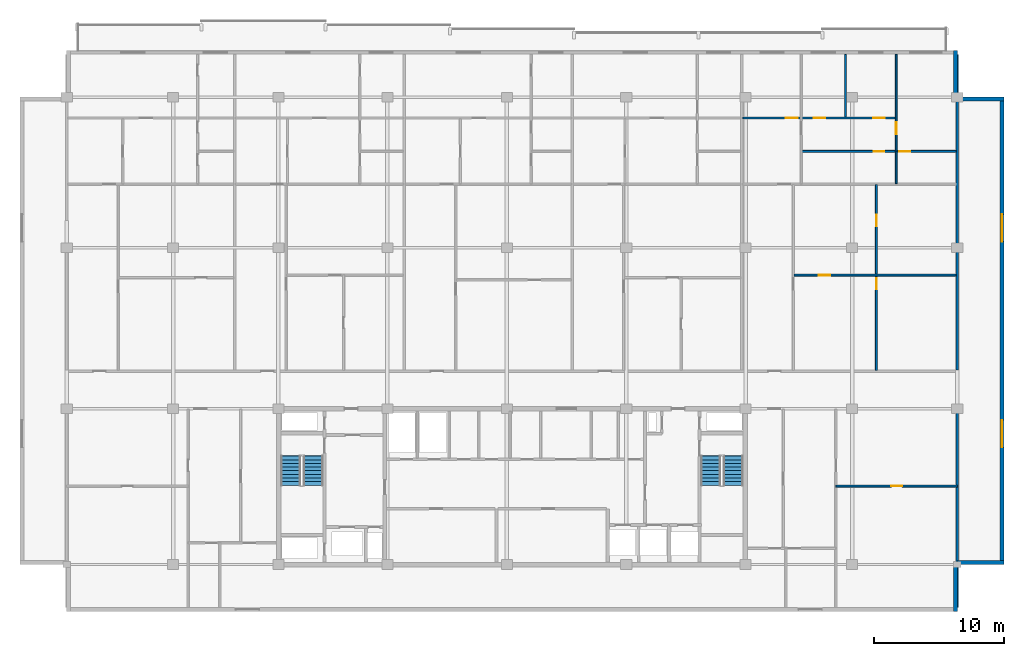
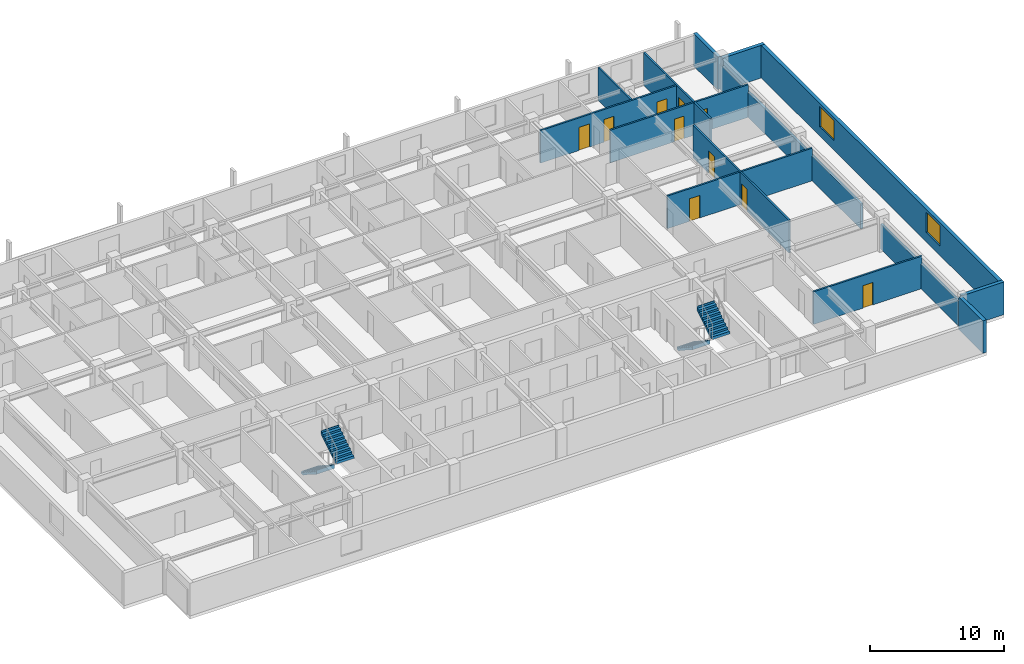
# One storey, part 9 of 11: 15 walls, 10 doors, 4 stair flights, 2 windows, 12 openings, 2 elements without a shape of their own.
"""IFC4 building model written with IfcOpenShell, lengths in metres."""

from ifc_helpers import new_model, si_unit, direction, frame, frame_2d, origin, place, context, subcontext, project, spatial, polyline, rectangle, outline, extrude, material, layer, layer_set, type_object, element, fill, aggregate, save


model = new_model("IFC4")

# Units and contexts
model_context = context("Model", 3, precision=1e-05, world=origin(), true_north=direction((0.0, 1.0)))
body_context = subcontext(model_context, "Body", "Model", "MODEL_VIEW")
ifc_project = project(units=[si_unit("LENGTHUNIT", "METRE"), si_unit("AREAUNIT", "SQUARE_METRE"), si_unit("VOLUMEUNIT", "CUBIC_METRE"), si_unit("PLANEANGLEUNIT", "RADIAN"), si_unit("MASSUNIT", "GRAM", prefix="KILO")], contexts=[model_context])

# Site, building, storey
site_placement = place(None, origin())
site = spatial("IfcSite", under=ifc_project, at=site_placement, CompositionType="ELEMENT")
building_placement = place(site_placement, origin())
building = spatial("IfcBuilding", under=site, at=building_placement, Name="Korimba Cascade Residences", CompositionType="ELEMENT")
storey_placement = place(building_placement, frame((0.0, 0.0, 210.85009765625)))
storey = spatial("IfcBuildingStorey", under=building, at=storey_placement, Name="L61", CompositionType="ELEMENT", Elevation=210.85009765625)

# Walls
ifc_material_1 = material(Name="Precast concrete C40/50", Category="concrete")
ifc_layer_1 = layer(ifc_material_1, 0.300048828125)
ifc_layer_set_1 = layer_set([ifc_layer_1], Name="Precast concrete C40/50")
wall_type_1 = type_object("IfcWallType", Name="EW-STONE-300", PredefinedType="STANDARD", material=ifc_layer_set_1)
wall_1_placement = place(storey_placement, frame((128.25, 51.60009765625, 0.0), z_axis=(0.0, 0.0, 1.0), x_axis=(0.0, 1.0, 0.0)))
element("IfcWall", 1, at=wall_1_placement, inside=storey, type_object=wall_type_1, Name="L61 T1 Perimeter Stone Wall E01", PredefinedType="STANDARD", context=body_context, shape_type="SweptSolid", body=[
    extrude(rectangle(XDim=3.599853515625, YDim=0.300048828125, at=frame_2d((1.7998046875, 0.0))), origin(), (0.0, 0.0, 1.0), 2.969970703125),
])
wall_2_placement = place(storey_placement, frame((128.39990234375, 55.35009765625, 0.0), z_axis=(0.0, 0.0, 1.0), x_axis=(1.0, 0.0, 0.0)))
element("IfcWall", 2, at=wall_2_placement, inside=storey, type_object=wall_type_1, Name="L61 T1 Perimeter Stone Wall E02", PredefinedType="STANDARD", context=body_context, shape_type="SweptSolid", body=[
    extrude(rectangle(XDim=3.60009765625, YDim=0.300048828125, at=frame_2d((1.800048828125, 0.0))), origin(), (0.0, 0.0, 1.0), 2.969970703125),
])

# Wall, openings, windows
wall_3_placement = place(storey_placement, frame((131.85009765625, 55.199951171875, 0.0), z_axis=(0.0, 0.0, 1.0), x_axis=(0.0, 1.0, 0.0)))
wall_3 = element("IfcWall", 3, at=wall_3_placement, inside=storey, type_object=wall_type_1, Name="L61 T1 Perimeter Stone Wall E03", PredefinedType="STANDARD", context=body_context, shape_type="SweptSolid", body=[
    extrude(rectangle(XDim=36.0, YDim=0.300048828125, at=frame_2d((18.0, 0.0))), origin(), (0.0, 0.0, 1.0), 2.969970703125),
])
opening_1_placement = place(wall_3_placement, frame((9.030029296875, 0.0, 0.85009765625)))
opening_1 = element("IfcOpeningElement", 4, at=opening_1_placement, cuts=wall_3, Name="Opening W-03", PredefinedType="OPENING", context=body_context, shape_type="SweptSolid", body=[
    extrude(rectangle(XDim=2.10009765625, YDim=1.85009765625, at=frame_2d((1.050048828125, 0.925048828125))), frame((0.0, 0.16015625, 0.0), z_axis=(0.0, -1.0, 0.0), x_axis=(1.0, 0.0, 0.0)), (0.0, 0.0, 1.0), 0.320068359375),
])
opening_2_placement = place(wall_3_placement, frame((24.8701171875, 0.0, 0.85009765625)))
opening_2 = element("IfcOpeningElement", 5, at=opening_2_placement, cuts=wall_3, Name="Opening W-03", PredefinedType="OPENING", context=body_context, shape_type="SweptSolid", body=[
    extrude(rectangle(XDim=2.10009765625, YDim=1.85009765625, at=frame_2d((1.050048828125, 0.925048828125))), frame((0.0, 0.16015625, 0.0), z_axis=(0.0, -1.0, 0.0), x_axis=(1.0, 0.0, 0.0)), (0.0, 0.0, 1.0), 0.320068359375),
])
ifc_material_2 = material(Name="Double-Glazed Aluminium Window", Category="aluminium")
window_type = type_object("IfcWindowType", Name="WIN-CRN-2100", PartitioningType="DOUBLE_PANEL_HORIZONTAL", PredefinedType="WINDOW", material=ifc_material_2)
window_1_placement = place(opening_1_placement, origin())
window_1 = element("IfcWindow", 6, at=window_1_placement, inside=storey, type_object=window_type, Name="L61 T1 End View Window 3.1", OverallHeight=1.85009765625, OverallWidth=2.10009765625, PartitioningType="DOUBLE_PANEL_HORIZONTAL", PredefinedType="WINDOW", context=body_context, shape_type="SweptSolid", body=[
    extrude(rectangle(XDim=2.10009765625, YDim=1.85009765625, at=frame_2d((1.050048828125, 0.925048828125))), frame((0.0, 0.030029296875, 0.0), z_axis=(0.0, -1.0, 0.0), x_axis=(1.0, 0.0, 0.0)), (0.0, 0.0, 1.0), 0.06005859375),
])
fill(opening_1, window_1)
window_2_placement = place(opening_2_placement, origin())
window_2 = element("IfcWindow", 7, at=window_2_placement, inside=storey, type_object=window_type, Name="L61 T1 End View Window 3.2", OverallHeight=1.85009765625, OverallWidth=2.10009765625, PartitioningType="DOUBLE_PANEL_HORIZONTAL", PredefinedType="WINDOW", context=body_context, shape_type="SweptSolid", body=[
    extrude(rectangle(XDim=2.10009765625, YDim=1.85009765625, at=frame_2d((1.050048828125, 0.925048828125))), frame((0.0, 0.030029296875, 0.0), z_axis=(0.0, -1.0, 0.0), x_axis=(1.0, 0.0, 0.0)), (0.0, 0.0, 1.0), 0.06005859375),
])
fill(opening_2, window_2)

# Walls
for number, where, z_axis, x_axis, name in (
    (8, (132.0, 91.050048828125, 0.0), (0.0, 0.0, 1.0), (-1.0, 0.0, 0.0), "L61 T1 Perimeter Stone Wall E04"),
    (9, (128.25, 91.199951171875, 0.0), (0.0, 0.0, 1.0), (0.0, 1.0, 0.0), "L61 T1 Perimeter Stone Wall E05"),
):
    element("IfcWall", number, at=place(storey_placement, frame(where, z_axis=z_axis, x_axis=x_axis)), inside=storey, type_object=wall_type_1, Name=name, PredefinedType="STANDARD", context=body_context, shape_type="SweptSolid", body=[
        extrude(rectangle(XDim=3.60009765625, YDim=0.300048828125, at=frame_2d((1.800048828125, 0.0))), origin(), (0.0, 0.0, 1.0), 2.969970703125),
    ])
ifc_layer_2 = layer(ifc_material_1, 0.199951171875)
ifc_layer_set_2 = layer_set([ifc_layer_2], Name="Precast concrete C40/50")
wall_type_2 = type_object("IfcWallType", Name="WAL-IT-200", PredefinedType="PARTITIONING", material=ifc_layer_set_2)
wall_4_placement = place(storey_placement, frame((128.39990234375, 51.89990234375, 0.0), z_axis=(0.0, 0.0, 1.0), x_axis=(0.0, 1.0, 0.0)))
element("IfcWall", 10, at=wall_4_placement, inside=storey, type_object=wall_type_2, Name="L61 Partition Wall WAL-L61-T1-FE-WR", PredefinedType="PARTITIONING", context=body_context, shape_type="SweptSolid", body=[
    extrude(rectangle(XDim=15.300048828125, YDim=0.199951171875, at=frame_2d((7.64990234375, 0.0))), origin(), (0.0, 0.0, 1.0), 2.277099609375),
])
wall_5_placement = place(storey_placement, frame((128.39990234375, 70.179931640625, 0.0), z_axis=(0.0, 0.0, 1.0), x_axis=(0.0, 1.0, 0.0)))
element("IfcWall", 11, at=wall_5_placement, inside=storey, type_object=wall_type_2, Name="L61 Partition Wall WAL-L61-T1-BNDWR", PredefinedType="PARTITIONING", context=body_context, shape_type="SweptSolid", body=[
    extrude(rectangle(XDim=24.320068359375, YDim=0.199951171875, at=frame_2d((12.16015625, 0.0))), origin(), (0.0, 0.0, 1.0), 2.277099609375),
])

# Wall, opening, door
ifc_material_3 = material(Name="Insulated Acoustic Stud Partition", Category="gypsum")
ifc_layer_3 = layer(ifc_material_3, 0.14990234375)
ifc_layer_set_3 = layer_set([ifc_layer_3], Name="Insulated Acoustic Stud Partition")
wall_type_3 = type_object("IfcWallType", Name="WAL-PART-150", PredefinedType="PARTITIONING", material=ifc_layer_set_3)
wall_6_placement = place(storey_placement, frame((119.050048828125, 61.25, 0.0), z_axis=(0.0, 0.0, 1.0), x_axis=(1.0, 0.0, 0.0)))
wall_6 = element("IfcWall", 12, at=wall_6_placement, inside=storey, type_object=wall_type_3, Name="L61 Partition Wall WAL-L61-T1-FE-STH", PredefinedType="PARTITIONING", context=body_context, shape_type="SweptSolid", body=[
    extrude(rectangle(XDim=9.349853515625, YDim=0.14990234375, at=frame_2d((4.6748046875, 0.0))), origin(), (0.0, 0.0, 1.0), 2.969970703125),
])
opening_3_placement = place(wall_6_placement, frame((4.2548828125, 0.0, 0.0)))
opening_3 = element("IfcOpeningElement", 13, at=opening_3_placement, cuts=wall_6, Name="Opening D-BT1", PredefinedType="OPENING", context=body_context, shape_type="SweptSolid", body=[
    extrude(rectangle(XDim=0.840087890625, YDim=2.0400390625, at=frame_2d((0.419921875, 1.02001953125))), frame((0.0, 0.0849609375, 0.0), z_axis=(0.0, -1.0, 0.0), x_axis=(1.0, 0.0, 0.0)), (0.0, 0.0, 1.0), 0.169921875),
])
ifc_material_4 = material(Name="Moisture-Resistant Bathroom Timber Door", Category="wood")
door_type_1 = type_object("IfcDoorType", Name="DR-INT-850", OperationType="NOTDEFINED", PredefinedType="DOOR", material=ifc_material_4)
door_1_placement = place(opening_3_placement, origin())
door_1 = element("IfcDoor", 14, at=door_1_placement, inside=storey, type_object=door_type_1, Name="L61-T1-FE Dressing Store Door", OperationType="SINGLE_SWING_RIGHT", OverallHeight=2.0400390625, OverallWidth=0.840087890625, PredefinedType="DOOR", context=body_context, shape_type="SweptSolid", body=[
    extrude(rectangle(XDim=0.840087890625, YDim=2.0400390625, at=frame_2d((0.419921875, 1.02001953125))), frame((0.0, 0.02490234375, 0.0), z_axis=(0.0, -1.0, 0.0), x_axis=(1.0, 0.0, 0.0)), (0.0, 0.0, 1.0), 0.050048828125),
])
fill(opening_3, door_1)

# Wall, openings, doors
wall_7_placement = place(storey_placement, frame((122.175048828125, 70.159912109375, 0.0), z_axis=(0.0, 0.0, 1.0), x_axis=(0.0, 1.0, 0.0)))
wall_7 = element("IfcWall", 15, at=wall_7_placement, inside=storey, type_object=wall_type_3, Name="L61 Partition Wall WAL-L61-T1-U05-FMV", PredefinedType="PARTITIONING", context=body_context, shape_type="SweptSolid", body=[
    extrude(rectangle(XDim=14.300048828125, YDim=0.14990234375, at=frame_2d((7.14990234375, 0.0))), origin(), (0.0, 0.0, 1.0), 2.969970703125),
])
opening_4_placement = place(wall_7_placement, frame((6.239990234375, 0.0, 0.0)))
opening_4 = element("IfcOpeningElement", 16, at=opening_4_placement, cuts=wall_7, Name="Opening D-BT1", PredefinedType="OPENING", context=body_context, shape_type="SweptSolid", body=[
    extrude(rectangle(XDim=0.840087890625, YDim=2.0400390625, at=frame_2d((0.419921875, 1.02001953125))), frame((0.0, 0.0849609375, 0.0), z_axis=(0.0, -1.0, 0.0), x_axis=(1.0, 0.0, 0.0)), (0.0, 0.0, 1.0), 0.169921875),
])
opening_5_placement = place(wall_7_placement, frame((11.093505859375, 0.0, 0.0)))
opening_5 = element("IfcOpeningElement", 17, at=opening_5_placement, cuts=wall_7, Name="Opening D-IN2", PredefinedType="OPENING", context=body_context, shape_type="SweptSolid", body=[
    extrude(rectangle(XDim=0.8798828125, YDim=2.06005859375, at=frame_2d((0.43994140625, 1.030029296875))), frame((0.0, 0.0849609375, 0.0), z_axis=(0.0, -1.0, 0.0), x_axis=(1.0, 0.0, 0.0)), (0.0, 0.0, 1.0), 0.169921875),
])
door_2_placement = place(opening_4_placement, origin())
door_2 = element("IfcDoor", 18, at=door_2_placement, inside=storey, type_object=door_type_1, Name="L61-T1-U05 Wardrobe Door", OperationType="SINGLE_SWING_RIGHT", OverallHeight=2.0400390625, OverallWidth=0.840087890625, PredefinedType="DOOR", context=body_context, shape_type="SweptSolid", body=[
    extrude(rectangle(XDim=0.840087890625, YDim=2.0400390625, at=frame_2d((0.419921875, 1.02001953125))), frame((0.0, 0.02490234375, 0.0), z_axis=(0.0, -1.0, 0.0), x_axis=(1.0, 0.0, 0.0)), (0.0, 0.0, 1.0), 0.050048828125),
])
fill(opening_4, door_2)
ifc_material_5 = material(Name="Acoustic Timber Bedroom Door", Category="wood")
door_type_2 = type_object("IfcDoorType", Name="DR-INT-880", OperationType="NOTDEFINED", PredefinedType="DOOR", material=ifc_material_5)
door_3_placement = place(opening_5_placement, origin())
door_3 = element("IfcDoor", 19, at=door_3_placement, inside=storey, type_object=door_type_2, Name="L61-T1-U05 Music Lounge Door", OperationType="SINGLE_SWING_LEFT", OverallHeight=2.06005859375, OverallWidth=0.8798828125, PredefinedType="DOOR", context=body_context, shape_type="SweptSolid", body=[
    extrude(rectangle(XDim=0.8798828125, YDim=2.06005859375, at=frame_2d((0.43994140625, 1.030029296875))), frame((0.0, 0.02490234375, 0.0), z_axis=(0.0, -1.0, 0.0), x_axis=(1.0, 0.0, 0.0)), (0.0, 0.0, 1.0), 0.050048828125),
])
fill(opening_5, door_3)

# Wall, opening, door
wall_8_placement = place(storey_placement, frame((115.830078125, 77.489990234375, 0.0), z_axis=(0.0, 0.0, 1.0), x_axis=(1.0, 0.0, 0.0)))
wall_8 = element("IfcWall", 20, at=wall_8_placement, inside=storey, type_object=wall_type_3, Name="L61 Partition Wall WAL-L61-T1-U05-FMH", PredefinedType="PARTITIONING", context=body_context, shape_type="SweptSolid", body=[
    extrude(rectangle(XDim=12.489990234375, YDim=0.14990234375, at=frame_2d((6.2451171875, 0.0))), origin(), (0.0, 0.0, 1.0), 2.969970703125),
])
opening_6_placement = place(wall_8_placement, frame((1.91650390625, 0.0, 0.0)))
opening_6 = element("IfcOpeningElement", 21, at=opening_6_placement, cuts=wall_8, Name="Opening D-IN2", PredefinedType="OPENING", context=body_context, shape_type="SweptSolid", body=[
    extrude(rectangle(XDim=0.8798828125, YDim=2.06005859375, at=frame_2d((0.43994140625, 1.030029296875))), frame((0.0, 0.0849609375, 0.0), z_axis=(0.0, -1.0, 0.0), x_axis=(1.0, 0.0, 0.0)), (0.0, 0.0, 1.0), 0.169921875),
])
door_4_placement = place(opening_6_placement, origin())
door_4 = element("IfcDoor", 22, at=door_4_placement, inside=storey, type_object=door_type_2, Name="L61-T1-U05 Library Salon Door", OperationType="SINGLE_SWING_RIGHT", OverallHeight=2.06005859375, OverallWidth=0.8798828125, PredefinedType="DOOR", context=body_context, shape_type="SweptSolid", body=[
    extrude(rectangle(XDim=0.8798828125, YDim=2.06005859375, at=frame_2d((0.43994140625, 1.030029296875))), frame((0.0, 0.02490234375, 0.0), z_axis=(0.0, -1.0, 0.0), x_axis=(1.0, 0.0, 0.0)), (0.0, 0.0, 1.0), 0.050048828125),
])
fill(opening_6, door_4)

# Walls
wall_9_placement = place(storey_placement, frame((119.78955078125, 89.679931640625, 0.0), z_axis=(0.0, 0.0, 1.0), x_axis=(0.0, 1.0, 0.0)))
element("IfcWall", 23, at=wall_9_placement, inside=storey, type_object=wall_type_3, Name="L61 Partition Wall WAL-L61-T1-U05-VSTD", PredefinedType="PARTITIONING", context=body_context, shape_type="SweptSolid", body=[
    extrude(rectangle(XDim=4.820068359375, YDim=0.14990234375, at=frame_2d((2.41015625, 0.0))), origin(), (0.0, 0.0, 1.0), 2.969970703125),
])
wall_10_placement = place(storey_placement, frame((123.69921875, 84.5400390625, 0.0), z_axis=(0.0, 0.0, 1.0), x_axis=(0.0, 1.0, 0.0)))
element("IfcWall", 24, at=wall_10_placement, inside=storey, type_object=wall_type_3, Name="L61 Partition Wall WAL-L61-T1-U05-VBATH", PredefinedType="PARTITIONING", context=body_context, shape_type="SweptSolid", body=[
    extrude(rectangle(XDim=2.469970703125, YDim=0.14990234375, at=frame_2d((1.23486328125, 0.0))), origin(), (0.0, 0.0, 1.0), 2.969970703125),
])

# Wall, opening, door
wall_11_placement = place(storey_placement, frame((123.69921875, 87.050048828125, 0.0), z_axis=(0.0, 0.0, 1.0), x_axis=(0.0, 1.0, 0.0)))
wall_11 = element("IfcWall", 25, at=wall_11_placement, inside=storey, type_object=wall_type_3, Name="L61 Partition Wall WAL-L61-T1-U05-V2FULL", PredefinedType="PARTITIONING", context=body_context, shape_type="SweptSolid", body=[
    extrude(rectangle(XDim=7.449951171875, YDim=0.14990234375, at=frame_2d((3.72509765625, 0.0))), origin(), (0.0, 0.0, 1.0), 2.969970703125),
])
opening_7_placement = place(wall_11_placement, frame((1.31005859375, 0.0, 0.0)))
opening_7 = element("IfcOpeningElement", 26, at=opening_7_placement, cuts=wall_11, Name="Opening D-IN1", PredefinedType="OPENING", context=body_context, shape_type="SweptSolid", body=[
    extrude(rectangle(XDim=0.919921875, YDim=2.080078125, at=frame_2d((0.4599609375, 1.0400390625))), frame((0.0, 0.0849609375, 0.0), z_axis=(0.0, -1.0, 0.0), x_axis=(1.0, 0.0, 0.0)), (0.0, 0.0, 1.0), 0.169921875),
])
ifc_material_6 = material(Name="Acoustic Timber Living Door", Category="wood")
door_type_3 = type_object("IfcDoorType", Name="DR-INT-920", OperationType="NOTDEFINED", PredefinedType="DOOR", material=ifc_material_6)
door_5_placement = place(opening_7_placement, origin())
door_5 = element("IfcDoor", 27, at=door_5_placement, inside=storey, type_object=door_type_3, Name="L61-T1-U05 Master Bedroom Door", OperationType="SINGLE_SWING_LEFT", OverallHeight=2.080078125, OverallWidth=0.919921875, PredefinedType="DOOR", context=body_context, shape_type="SweptSolid", body=[
    extrude(rectangle(XDim=0.919921875, YDim=2.080078125, at=frame_2d((0.4599609375, 1.0400390625))), frame((0.0, 0.02490234375, 0.0), z_axis=(0.0, -1.0, 0.0), x_axis=(1.0, 0.0, 0.0)), (0.0, 0.0, 1.0), 0.050048828125),
])
fill(opening_7, door_5)

# Wall, openings, doors
wall_12_placement = place(storey_placement, frame((116.419921875, 87.030029296875, 0.0), z_axis=(0.0, 0.0, 1.0), x_axis=(1.0, 0.0, 0.0)))
wall_12 = element("IfcWall", 28, at=wall_12_placement, inside=storey, type_object=wall_type_3, Name="L61 Partition Wall WAL-L61-T1-U05-HWALL", PredefinedType="PARTITIONING", context=body_context, shape_type="SweptSolid", body=[
    extrude(rectangle(XDim=11.900146484375, YDim=0.14990234375, at=frame_2d((5.9501953125, 0.0))), origin(), (0.0, 0.0, 1.0), 2.969970703125),
])
opening_8_placement = place(wall_12_placement, frame((5.530029296875, 0.0, 0.0)))
opening_8 = element("IfcOpeningElement", 29, at=opening_8_placement, cuts=wall_12, Name="Opening D-BT1", PredefinedType="OPENING", context=body_context, shape_type="SweptSolid", body=[
    extrude(rectangle(XDim=0.840087890625, YDim=2.0400390625, at=frame_2d((0.419921875, 1.02001953125))), frame((0.0, 0.0849609375, 0.0), z_axis=(0.0, -1.0, 0.0), x_axis=(1.0, 0.0, 0.0)), (0.0, 0.0, 1.0), 0.169921875),
])
opening_9_placement = place(wall_12_placement, frame((7.529296875, 0.0, 0.0)))
opening_9 = element("IfcOpeningElement", 30, at=opening_9_placement, cuts=wall_12, Name="Opening D-BT1", PredefinedType="OPENING", context=body_context, shape_type="SweptSolid", body=[
    extrude(rectangle(XDim=0.840087890625, YDim=2.0400390625, at=frame_2d((0.419921875, 1.02001953125))), frame((0.0, 0.0849609375, 0.0), z_axis=(0.0, -1.0, 0.0), x_axis=(1.0, 0.0, 0.0)), (0.0, 0.0, 1.0), 0.169921875),
])
door_6_placement = place(opening_8_placement, origin())
door_6 = element("IfcDoor", 31, at=door_6_placement, inside=storey, type_object=door_type_1, Name="L61-T1-U05 Family Bathroom Door", OperationType="SINGLE_SWING_RIGHT", OverallHeight=2.0400390625, OverallWidth=0.840087890625, PredefinedType="DOOR", context=body_context, shape_type="SweptSolid", body=[
    extrude(rectangle(XDim=0.840087890625, YDim=2.0400390625, at=frame_2d((0.419921875, 1.02001953125))), frame((0.0, 0.02490234375, 0.0), z_axis=(0.0, -1.0, 0.0), x_axis=(1.0, 0.0, 0.0)), (0.0, 0.0, 1.0), 0.050048828125),
])
fill(opening_8, door_6)
door_7_placement = place(opening_9_placement, origin())
door_7 = element("IfcDoor", 32, at=door_7_placement, inside=storey, type_object=door_type_1, Name="L61-T1-U05 En-Suite Door", OperationType="SINGLE_SWING_LEFT", OverallHeight=2.0400390625, OverallWidth=0.840087890625, PredefinedType="DOOR", context=body_context, shape_type="SweptSolid", body=[
    extrude(rectangle(XDim=0.840087890625, YDim=2.0400390625, at=frame_2d((0.419921875, 1.02001953125))), frame((0.0, 0.02490234375, 0.0), z_axis=(0.0, -1.0, 0.0), x_axis=(1.0, 0.0, 0.0)), (0.0, 0.0, 1.0), 0.050048828125),
])
fill(opening_9, door_7)

wall_13_placement = place(storey_placement, frame((111.8798828125, 89.60009765625, 0.0), z_axis=(0.0, 0.0, 1.0), x_axis=(1.0, 0.0, 0.0)))
wall_13 = element("IfcWall", 33, at=wall_13_placement, inside=storey, type_object=wall_type_3, Name="L61 Partition Wall WAL-L61-T1-U05-HZ", PredefinedType="PARTITIONING", context=body_context, shape_type="SweptSolid", body=[
    extrude(rectangle(XDim=11.8193359375, YDim=0.14990234375, at=frame_2d((5.90966796875, 0.0))), origin(), (0.0, 0.0, 1.0), 2.969970703125),
])
opening_10_placement = place(wall_13_placement, frame((3.31005859375, 0.0, 0.0)))
opening_10 = element("IfcOpeningElement", 34, at=opening_10_placement, cuts=wall_13, Name="Opening D-IN0", PredefinedType="OPENING", context=body_context, shape_type="SweptSolid", body=[
    extrude(rectangle(XDim=0.93994140625, YDim=2.10009765625, at=frame_2d((0.469970703125, 1.050048828125))), frame((0.0, 0.0849609375, 0.0), z_axis=(0.0, -1.0, 0.0), x_axis=(1.0, 0.0, 0.0)), (0.0, 0.0, 1.0), 0.169921875),
])
opening_11_placement = place(wall_13_placement, frame((5.469482421875, 0.0, 0.0)))
opening_11 = element("IfcOpeningElement", 35, at=opening_11_placement, cuts=wall_13, Name="Opening D-IN2", PredefinedType="OPENING", context=body_context, shape_type="SweptSolid", body=[
    extrude(rectangle(XDim=0.8798828125, YDim=2.06005859375, at=frame_2d((0.43994140625, 1.030029296875))), frame((0.0, 0.0849609375, 0.0), z_axis=(0.0, -1.0, 0.0), x_axis=(1.0, 0.0, 0.0)), (0.0, 0.0, 1.0), 0.169921875),
])
opening_12_placement = place(wall_13_placement, frame((10.0458984375, 0.0, 0.0)))
opening_12 = element("IfcOpeningElement", 36, at=opening_12_placement, cuts=wall_13, Name="Opening D-IN2", PredefinedType="OPENING", context=body_context, shape_type="SweptSolid", body=[
    extrude(rectangle(XDim=0.8798828125, YDim=2.06005859375, at=frame_2d((0.43994140625, 1.030029296875))), frame((0.0, 0.0849609375, 0.0), z_axis=(0.0, -1.0, 0.0), x_axis=(1.0, 0.0, 0.0)), (0.0, 0.0, 1.0), 0.169921875),
])
door_8_placement = place(opening_11_placement, origin())
door_8 = element("IfcDoor", 37, at=door_8_placement, inside=storey, type_object=door_type_2, Name="L61-T1-U05 Bedroom 2 Door", OperationType="SINGLE_SWING_RIGHT", OverallHeight=2.06005859375, OverallWidth=0.8798828125, PredefinedType="DOOR", context=body_context, shape_type="SweptSolid", body=[
    extrude(rectangle(XDim=0.8798828125, YDim=2.06005859375, at=frame_2d((0.43994140625, 1.030029296875))), frame((0.0, 0.02490234375, 0.0), z_axis=(0.0, -1.0, 0.0), x_axis=(1.0, 0.0, 0.0)), (0.0, 0.0, 1.0), 0.050048828125),
])
fill(opening_11, door_8)
door_9_placement = place(opening_12_placement, origin())
door_9 = element("IfcDoor", 38, at=door_9_placement, inside=storey, type_object=door_type_2, Name="L61-T1-U05 Study Door", OperationType="SINGLE_SWING_LEFT", OverallHeight=2.06005859375, OverallWidth=0.8798828125, PredefinedType="DOOR", context=body_context, shape_type="SweptSolid", body=[
    extrude(rectangle(XDim=0.8798828125, YDim=2.06005859375, at=frame_2d((0.43994140625, 1.030029296875))), frame((0.0, 0.02490234375, 0.0), z_axis=(0.0, -1.0, 0.0), x_axis=(1.0, 0.0, 0.0)), (0.0, 0.0, 1.0), 0.050048828125),
])
fill(opening_12, door_9)
ifc_material_7 = material(Name="Acoustic Timber Living Archway Door", Category="wood")
door_type_4 = type_object("IfcDoorType", Name="DR-INT-950", OperationType="NOTDEFINED", PredefinedType="DOOR", material=ifc_material_7)
door_10_placement = place(opening_10_placement, origin())
door_10 = element("IfcDoor", 39, at=door_10_placement, inside=storey, type_object=door_type_4, Name="L61-T1-U05 Living Room Door", OperationType="SINGLE_SWING_LEFT", OverallHeight=2.10009765625, OverallWidth=0.93994140625, PredefinedType="DOOR", context=body_context, shape_type="SweptSolid", body=[
    extrude(rectangle(XDim=0.93994140625, YDim=2.10009765625, at=frame_2d((0.469970703125, 1.050048828125))), frame((0.0, 0.02490234375, 0.0), z_axis=(0.0, -1.0, 0.0), x_axis=(1.0, 0.0, 0.0)), (0.0, 0.0, 1.0), 0.050048828125),
])
fill(opening_10, door_10)

# Stair, stair flights
ifc_material_8 = material(Name="Concrete C50/60", Category="concrete")
stair_type_1 = type_object("IfcStairType", Name="STR-W1-18R-1806", PredefinedType="HALF_TURN_STAIR", material=ifc_material_8)
stair_1_placement = place(storey_placement, origin())
stair_1 = element("IfcStair", 40, at=stair_1_placement, inside=storey, type_object=stair_type_1, Name="L61 Tower 1 West Fire Stair ST-W1", PredefinedType="HALF_TURN_STAIR")
stair_flight_type = type_object("IfcStairFlightType", Name="STF-DL-18R-1806-1520", PredefinedType="STRAIGHT", material=ifc_material_8)
stair_flight_1_placement = place(storey_placement, frame((77.06005859375, 63.550048828125, 0.0), z_axis=(0.0, 0.0, 1.0), x_axis=(0.0, -1.0, 0.0)))
stair_flight_1 = element("IfcStairFlight", 41, at=stair_flight_1_placement, type_object=stair_flight_type, Name="ST-W1 flight 1", NumberOfRisers=9, NumberOfTreads=8, PredefinedType="STRAIGHT", RiserHeight=0.180555556, TreadLength=0.28, context=body_context, shape_type="SweptSolid", body=[
    extrude(outline(polyline([(-0.0380859375, 0.0), (0.0, 0.1806640625), (0.280029296875, 0.1806640625), (0.280029296875, 0.361083984375), (0.56005859375, 0.361083984375), (0.56005859375, 0.541748046875), (0.840087890625, 0.541748046875), (0.840087890625, 0.72216796875), (1.1201171875, 0.72216796875), (1.1201171875, 0.90283203125), (1.39990234375, 0.90283203125), (1.39990234375, 1.083251953125), (1.679931640625, 1.083251953125), (1.679931640625, 1.263916015625), (1.9599609375, 1.263916015625), (1.9599609375, 1.4443359375), (2.239990234375, 1.4443359375), (2.239990234375, 1.625), (2.278076171875, 1.625), (2.278076171875, 1.26611328125), (0.276611328125, 0.0), (0.276611328125, -0.0380859375), (-0.0380859375, -0.0380859375), (-0.0380859375, 0.0)])), frame((0.0, 0.760009765625, 0.0), z_axis=(0.0, -1.0, 0.0), x_axis=(1.0, 0.0, 0.0)), (0.0, 0.0, 1.0), 1.52001953125),
])
stair_flight_2_placement = place(storey_placement, frame((78.780029296875, 61.31005859375, 1.625), z_axis=(0.0, 0.0, 1.0), x_axis=(0.0, 1.0, 0.0)))
stair_flight_2 = element("IfcStairFlight", 42, at=stair_flight_2_placement, type_object=stair_flight_type, Name="ST-W1 flight 2", NumberOfRisers=9, NumberOfTreads=8, PredefinedType="STRAIGHT", RiserHeight=0.180555556, TreadLength=0.28, context=body_context, shape_type="SweptSolid", body=[
    extrude(outline(polyline([(-0.0380859375, 0.0), (0.0, 0.1806640625), (0.280029296875, 0.1806640625), (0.280029296875, 0.361083984375), (0.56005859375, 0.361083984375), (0.56005859375, 0.541748046875), (0.840087890625, 0.541748046875), (0.840087890625, 0.72216796875), (1.1201171875, 0.72216796875), (1.1201171875, 0.90283203125), (1.39990234375, 0.90283203125), (1.39990234375, 1.083251953125), (1.679931640625, 1.083251953125), (1.679931640625, 1.263916015625), (1.9599609375, 1.263916015625), (1.9599609375, 1.4443359375), (2.239990234375, 1.4443359375), (2.239990234375, 1.625), (2.278076171875, 1.625), (2.278076171875, 1.26611328125), (0.276611328125, 0.0), (0.276611328125, -0.0380859375), (-0.0380859375, -0.0380859375), (-0.0380859375, 0.0)])), frame((0.0, 0.760009765625, 0.0), z_axis=(0.0, -1.0, 0.0), x_axis=(1.0, 0.0, 0.0)), (0.0, 0.0, 1.0), 1.52001953125),
])
aggregate(stair_1, [stair_flight_1, stair_flight_2])

stair_type_2 = type_object("IfcStairType", Name="STR-W2-18R-1806", PredefinedType="HALF_TURN_STAIR", material=ifc_material_8)
stair_2_placement = place(storey_placement, origin())
stair_2 = element("IfcStair", 43, at=stair_2_placement, inside=storey, type_object=stair_type_2, Name="L61 Tower 1 East Fire Stair ST-W2", PredefinedType="HALF_TURN_STAIR")
stair_flight_3_placement = place(storey_placement, frame((109.419921875, 63.550048828125, 0.0), z_axis=(0.0, 0.0, 1.0), x_axis=(0.0, -1.0, 0.0)))
stair_flight_3 = element("IfcStairFlight", 44, at=stair_flight_3_placement, type_object=stair_flight_type, Name="ST-W2 flight 1", NumberOfRisers=9, NumberOfTreads=8, PredefinedType="STRAIGHT", RiserHeight=0.180555556, TreadLength=0.28, context=body_context, shape_type="SweptSolid", body=[
    extrude(outline(polyline([(-0.0380859375, 0.0), (0.0, 0.1806640625), (0.280029296875, 0.1806640625), (0.280029296875, 0.361083984375), (0.56005859375, 0.361083984375), (0.56005859375, 0.541748046875), (0.840087890625, 0.541748046875), (0.840087890625, 0.72216796875), (1.1201171875, 0.72216796875), (1.1201171875, 0.90283203125), (1.39990234375, 0.90283203125), (1.39990234375, 1.083251953125), (1.679931640625, 1.083251953125), (1.679931640625, 1.263916015625), (1.9599609375, 1.263916015625), (1.9599609375, 1.4443359375), (2.239990234375, 1.4443359375), (2.239990234375, 1.625), (2.278076171875, 1.625), (2.278076171875, 1.26611328125), (0.276611328125, 0.0), (0.276611328125, -0.0380859375), (-0.0380859375, -0.0380859375), (-0.0380859375, 0.0)])), frame((0.0, 0.760009765625, 0.0), z_axis=(0.0, -1.0, 0.0), x_axis=(1.0, 0.0, 0.0)), (0.0, 0.0, 1.0), 1.52001953125),
])
stair_flight_4_placement = place(storey_placement, frame((111.139892578125, 61.31005859375, 1.625), z_axis=(0.0, 0.0, 1.0), x_axis=(0.0, 1.0, 0.0)))
stair_flight_4 = element("IfcStairFlight", 45, at=stair_flight_4_placement, type_object=stair_flight_type, Name="ST-W2 flight 2", NumberOfRisers=9, NumberOfTreads=8, PredefinedType="STRAIGHT", RiserHeight=0.180555556, TreadLength=0.28, context=body_context, shape_type="SweptSolid", body=[
    extrude(outline(polyline([(-0.0380859375, 0.0), (0.0, 0.1806640625), (0.280029296875, 0.1806640625), (0.280029296875, 0.361083984375), (0.56005859375, 0.361083984375), (0.56005859375, 0.541748046875), (0.840087890625, 0.541748046875), (0.840087890625, 0.72216796875), (1.1201171875, 0.72216796875), (1.1201171875, 0.90283203125), (1.39990234375, 0.90283203125), (1.39990234375, 1.083251953125), (1.679931640625, 1.083251953125), (1.679931640625, 1.263916015625), (1.9599609375, 1.263916015625), (1.9599609375, 1.4443359375), (2.239990234375, 1.4443359375), (2.239990234375, 1.625), (2.278076171875, 1.625), (2.278076171875, 1.26611328125), (0.276611328125, 0.0), (0.276611328125, -0.0380859375), (-0.0380859375, -0.0380859375), (-0.0380859375, 0.0)])), frame((0.0, 0.760009765625, 0.0), z_axis=(0.0, -1.0, 0.0), x_axis=(1.0, 0.0, 0.0)), (0.0, 0.0, 1.0), 1.52001953125),
])
aggregate(stair_2, [stair_flight_3, stair_flight_4])

save(model, "model.ifc")
